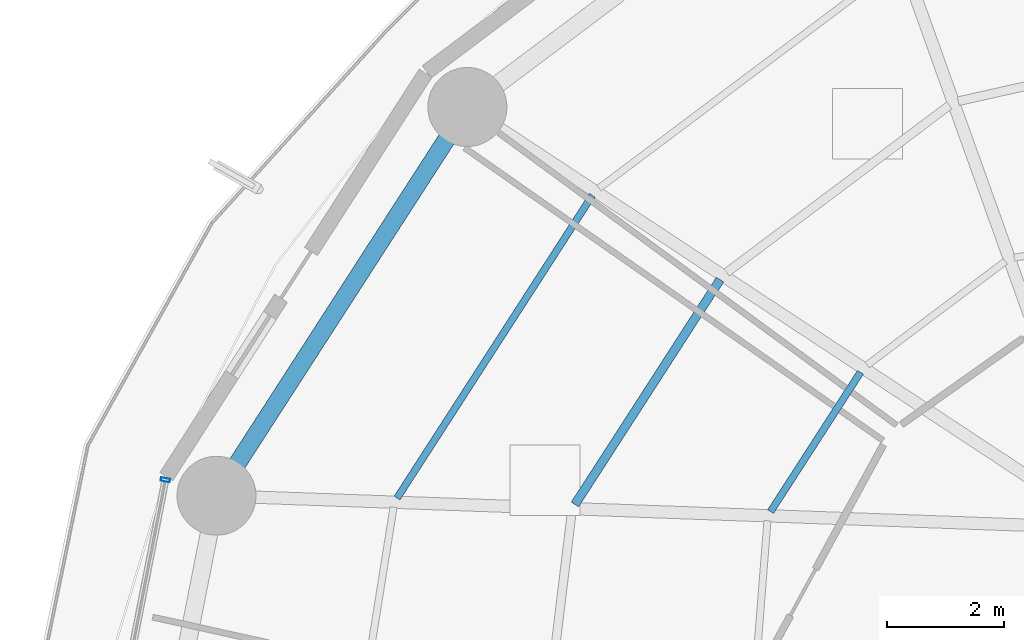
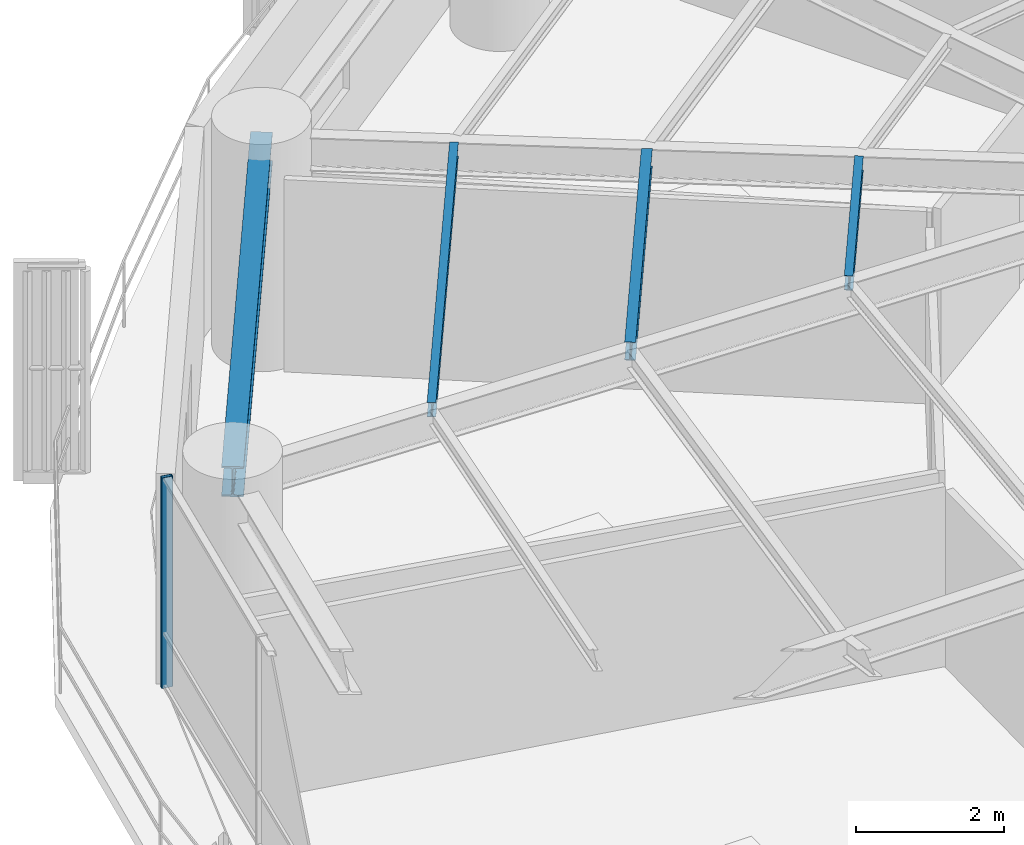
# One storey, part 18 of 35: 4 beams, 1 member, 1 element without a shape of its own.
"""IFC4 building model written with IfcOpenShell, lengths in metres."""

from ifc_helpers import new_model, si_unit, direction, frame, origin, origin_2d, place, context, subcontext, project, spatial, hollow_rectangle, i_section, extrude, material, layer, layer_set, material_profile, profile_set, type_object, element, aggregate, save


model = new_model("IFC4")

# Units and contexts
model_context = context("Model", 3, precision=1e-05, world=origin(), true_north=direction((0.0, 1.0)))
body_context = subcontext(model_context, "Body", "Model", "MODEL_VIEW")
ifc_project = project(units=[si_unit("LENGTHUNIT", "METRE"), si_unit("AREAUNIT", "SQUARE_METRE"), si_unit("VOLUMEUNIT", "CUBIC_METRE"), si_unit("PLANEANGLEUNIT", "RADIAN"), si_unit("MASSUNIT", "GRAM", prefix="KILO")], contexts=[model_context])

# Site, building, storey
site_placement = place(None, origin())
site = spatial("IfcSite", under=ifc_project, at=site_placement, CompositionType="ELEMENT")
building_placement = place(site_placement, origin())
building = spatial("IfcBuilding", under=site, at=building_placement, Name="Kelanora Arch Commons", CompositionType="ELEMENT")
storey_placement = place(building_placement, frame((0.0, 0.0, 121.35009765625)))
storey = spatial("IfcBuildingStorey", under=building, at=storey_placement, Name="L31", CompositionType="ELEMENT", Elevation=121.35009765625)

# Beams
ifc_material_1 = material(Name="Steel S355", Category="steel")
ifc_material_profile_1 = material_profile(ifc_material_1, i_section(OverallWidth=0.14990234375, OverallDepth=0.300048828125, WebThickness=0.007080078125, FlangeThickness=0.0107421875, FilletRadius=0.014892578125, at=origin_2d()), Name="IPE300")
ifc_profile_set_1 = profile_set([ifc_material_profile_1], Name="Steel S355")
beam_type_1 = type_object("IfcBeamType", Name="BM-JST-01", PredefinedType="JOIST", material=ifc_profile_set_1)
beam_1_placement = place(storey_placement, frame((59.410400390625, 69.244384765625, 3.33984375), z_axis=(-0.542230243286, -0.840229946661, 0.0), x_axis=(0.840229946661, -0.542230243286, 0.0)))
element("IfcBeam", 1, at=beam_1_placement, inside=storey, type_object=beam_type_1, Name="Secondary Chord Joist BJB-14 L31", PredefinedType="JOIST", context=body_context, shape_type="SweptSolid", body=[
    extrude(i_section(OverallWidth=0.14990234375, OverallDepth=0.300048828125, WebThickness=0.007080078125, FlangeThickness=0.0107421875, FilletRadius=0.014892578125, at=origin_2d()), origin(), (0.0, 0.0, 1.0), 4.572265625),
])
ifc_material_profile_2 = material_profile(ifc_material_1, i_section(OverallWidth=0.1201171875, OverallDepth=0.239990234375, WebThickness=0.006103515625, FlangeThickness=0.009765625, FilletRadius=0.014892578125, at=origin_2d()), Name="IPE240")
ifc_profile_set_2 = profile_set([ifc_material_profile_2], Name="Steel S355")
beam_type_2 = type_object("IfcBeamType", Name="BM-JST-02", PredefinedType="JOIST", material=ifc_profile_set_2)
beam_2_placement = place(storey_placement, frame((61.8095703125, 67.661865234375, 3.369873046875), z_axis=(-0.542211255502, -0.840242199849, 0.0), x_axis=(0.840242199849, -0.542211255502, 0.0)))
element("IfcBeam", 2, at=beam_2_placement, inside=storey, type_object=beam_type_2, Name="Secondary Chord Joist BJA-14 L31", PredefinedType="JOIST", context=body_context, shape_type="SweptSolid", body=[
    extrude(i_section(OverallWidth=0.1201171875, OverallDepth=0.239990234375, WebThickness=0.006103515625, FlangeThickness=0.009765625, FilletRadius=0.014892578125, at=origin_2d()), origin(), (0.0, 0.0, 1.0), 2.83349609375),
])
beam_3_placement = place(storey_placement, frame((57.22900390625, 70.682861328125, 3.369873046875), z_axis=(-0.542212726273, -0.840241250754, 0.0), x_axis=(0.840241250754, -0.542212726273, 0.0)))
element("IfcBeam", 3, at=beam_3_placement, inside=storey, type_object=beam_type_2, Name="Secondary Chord Joist BJC-14 L31", PredefinedType="JOIST", context=body_context, shape_type="SweptSolid", body=[
    extrude(i_section(OverallWidth=0.1201171875, OverallDepth=0.239990234375, WebThickness=0.006103515625, FlangeThickness=0.009765625, FilletRadius=0.014892578125, at=origin_2d()), origin(), (0.0, 0.0, 1.0), 6.15283203125),
])
ifc_material_profile_3 = material_profile(ifc_material_1, i_section(OverallWidth=0.300048828125, OverallDepth=0.5, WebThickness=0.014404296875, FlangeThickness=0.028076171875, FilletRadius=0.027099609375, at=origin_2d()), Name="HEB500")
ifc_profile_set_3 = profile_set([ifc_material_profile_3], Name="Steel S355")
beam_type_3 = type_object("IfcBeamType", Name="BM-SPN-Z2", PredefinedType="SPANDREL", material=ifc_profile_set_3)
beam_4_placement = place(storey_placement, frame((55.093994140625, 72.19287109375, 3.239990234375), z_axis=(-0.542221144054, -0.840235818649, 0.0), x_axis=(0.840235818649, -0.542221144054, 0.0)))
element("IfcBeam", 4, at=beam_4_placement, inside=storey, type_object=beam_type_3, Name="Perimeter Spandrel Beam BS-14 L31", PredefinedType="SPANDREL", context=body_context, shape_type="SweptSolid", body=[
    extrude(i_section(OverallWidth=0.300048828125, OverallDepth=0.5, WebThickness=0.014404296875, FlangeThickness=0.028076171875, FilletRadius=0.027099609375, at=origin_2d()), origin(), (0.0, 0.0, 1.0), 7.90380859375),
])

# Curtain wall, member
ifc_material_2 = material(Name="Terracotta ceramic-fritted low-E glass and aluminium", Category="masonry")
ifc_layer = layer(ifc_material_2, 0.159912109375)
ifc_layer_set = layer_set([ifc_layer], Name="Terracotta ceramic-fritted low-E glass and aluminium")
curtain_wall_type = type_object("IfcCurtainWallType", Name="CW-SYS-01", PredefinedType="NOTDEFINED", material=ifc_layer_set)
curtain_wall_placement = place(storey_placement, origin())
curtain_wall = element("IfcCurtainWall", 5, at=curtain_wall_placement, inside=storey, type_object=curtain_wall_type, Name="Unitised Curtain Wall L31-B08", PredefinedType="NOTDEFINED")
ifc_material_3 = material(Name="Powder-coated aluminium terracotta", Category="masonry")
ifc_material_profile_4 = material_profile(ifc_material_3, hollow_rectangle(XDim=0.159912109375, YDim=0.06005859375, WallThickness=0.0048828125, InnerFilletRadius=0.0048828125, OuterFilletRadius=0.010009765625, at=origin_2d()), Name="CWM160x60")
ifc_profile_set_4 = profile_set([ifc_material_profile_4], Name="Powder-coated aluminium terracotta")
member_type = type_object("IfcMemberType", Name="CWM-STD", PredefinedType="MULLION", material=ifc_profile_set_4)
member_placement = place(storey_placement, frame((49.935302734375, 65.822265625, 0.0), z_axis=(0.0, 0.0, 1.0), x_axis=(0.981280311646, -0.192584916272, 0.0)))
member = element("IfcMember", 6, at=member_placement, type_object=member_type, Name="CW-01 mullion 1", PredefinedType="MULLION", context=body_context, shape_type="SweptSolid", body=[
    extrude(hollow_rectangle(XDim=0.159912109375, YDim=0.06005859375, WallThickness=0.0048828125, InnerFilletRadius=0.0048828125, OuterFilletRadius=0.010009765625, at=origin_2d()), origin(), (0.0, 0.0, 1.0), 3.474853515625),
])
aggregate(curtain_wall, [member])

save(model, "model.ifc")
